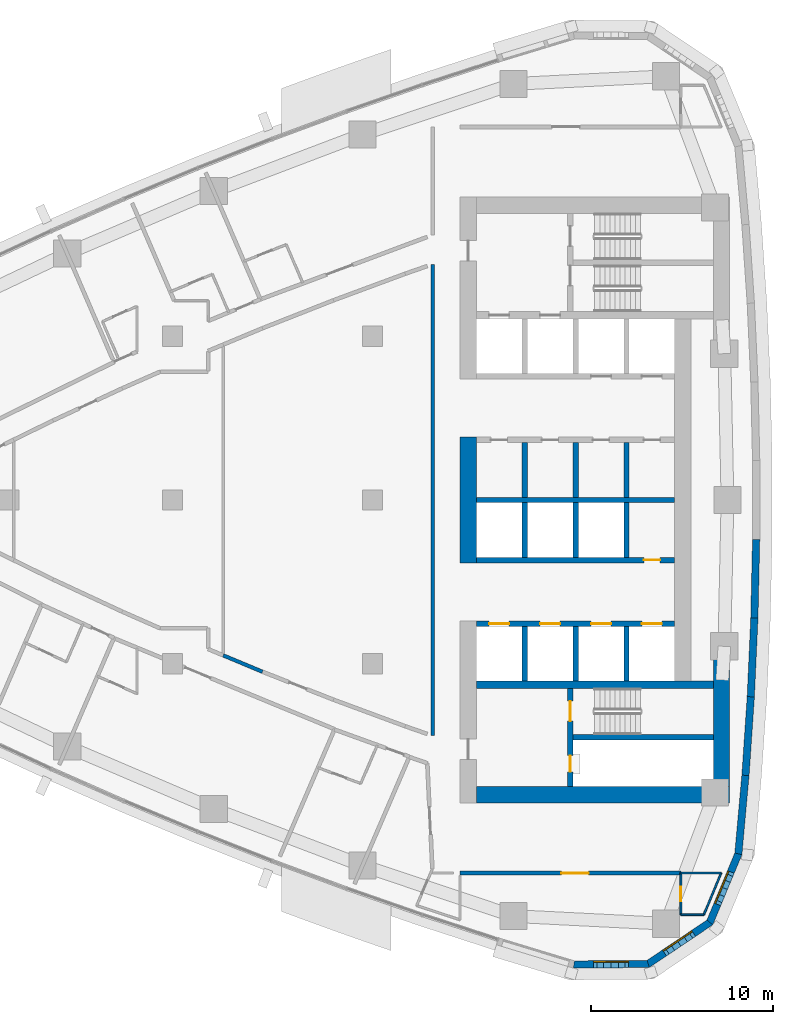
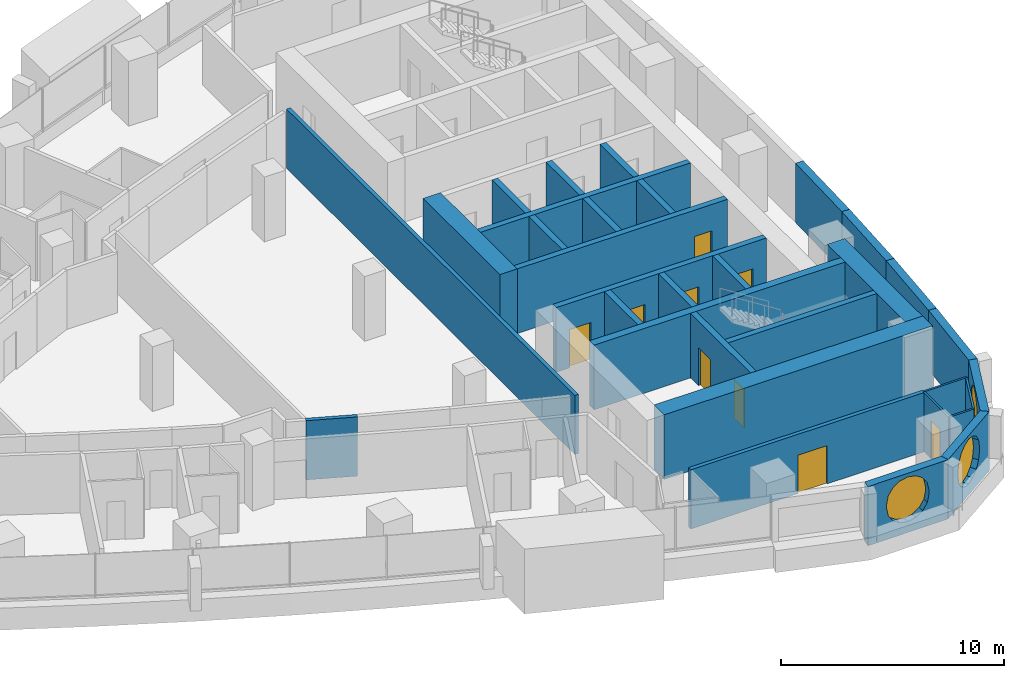
# One storey, part 10 of 17: 32 walls, 9 doors, 3 windows, 12 openings.
"""IFC4 building model written with IfcOpenShell, lengths in metres."""

from ifc_helpers import new_model, si_unit, direction, frame, frame_2d, origin, place, context, subcontext, project, spatial, polyline, rectangle, outline, extrude, material, layer, layer_set, type_object, element, fill, save


model = new_model("IFC4")

# Units and contexts
model_context = context("Model", 3, precision=1e-05, world=origin(), true_north=direction((0.0, 1.0)))
body_context = subcontext(model_context, "Body", "Model", "MODEL_VIEW")
ifc_project = project(units=[si_unit("LENGTHUNIT", "METRE"), si_unit("AREAUNIT", "SQUARE_METRE"), si_unit("VOLUMEUNIT", "CUBIC_METRE"), si_unit("PLANEANGLEUNIT", "RADIAN"), si_unit("MASSUNIT", "GRAM", prefix="KILO")], contexts=[model_context])

# Site, building, storey
site_placement = place(None, origin())
site = spatial("IfcSite", under=ifc_project, at=site_placement, CompositionType="ELEMENT")
building_placement = place(site_placement, origin())
building = spatial("IfcBuilding", under=site, at=building_placement, Name="Ostrand Prow Hotel Tower", CompositionType="ELEMENT")
storey_placement = place(building_placement, frame((0.0, 0.0, 133.75)))
storey = spatial("IfcBuildingStorey", under=building, at=storey_placement, Name="L32", CompositionType="ELEMENT", Elevation=133.75)

# Walls
ifc_material_1 = material(Name="Concrete C70/85", Category="concrete")
ifc_layer_1 = layer(ifc_material_1, 0.300048828125)
ifc_layer_set_1 = layer_set([ifc_layer_1], Name="Concrete C70/85")
wall_type_1 = type_object("IfcWallType", Name="Core wall 300 C70/85", PredefinedType="SHEAR", material=ifc_layer_set_1)
wall_1_placement = place(storey_placement, frame((50.699951171875, 0.0, 0.0), z_axis=(0.0, 0.0, 1.0), x_axis=(1.0, 0.0, 0.0)))
element("IfcWall", 1, at=wall_1_placement, inside=storey, type_object=wall_type_1, Name="Core wall PW-C", PredefinedType="SHEAR", context=body_context, shape_type="SweptSolid", body=[
    extrude(rectangle(XDim=10.900146484375, YDim=0.300048828125, at=frame_2d((5.4501953125, 0.0))), origin(), (0.0, 0.0, 1.0), 3.550048828125),
])
for number, where, z_axis, x_axis, name in (
    (2, (53.35009765625, 0.14990234375, 0.0), (0.0, 0.0, 1.0), (0.0, 1.0, 0.0), "Core wall PW-R1-NB"),
    (3, (56.14990234375, 0.14990234375, 0.0), (0.0, 0.0, 1.0), (0.0, 1.0, 0.0), "Core wall PW-R2-NB"),
    (4, (58.949951171875, 0.14990234375, 0.0), (0.0, 0.0, 1.0), (0.0, 1.0, 0.0), "Core wall PW-R3-NB"),
):
    element("IfcWall", number, at=place(storey_placement, frame(where, z_axis=z_axis, x_axis=x_axis)), inside=storey, type_object=wall_type_1, Name=name, PredefinedType="SHEAR", context=body_context, shape_type="SweptSolid", body=[
        extrude(rectangle(XDim=3.0, YDim=0.300048828125, at=frame_2d((1.5, 0.0))), origin(), (0.0, 0.0, 1.0), 3.550048828125),
    ])

# Wall, opening, door
wall_2_placement = place(storey_placement, frame((50.699951171875, -3.300048828125, 0.0), z_axis=(0.0, 0.0, 1.0), x_axis=(1.0, 0.0, 0.0)))
wall_2 = element("IfcWall", 5, at=wall_2_placement, inside=storey, type_object=wall_type_1, Name="Core wall PW-L1-S", PredefinedType="SHEAR", context=body_context, shape_type="SweptSolid", body=[
    extrude(rectangle(XDim=10.900146484375, YDim=0.300048828125, at=frame_2d((5.4501953125, 0.0))), origin(), (0.0, 0.0, 1.0), 3.550048828125),
])
opening_1_placement = place(wall_2_placement, frame((9.199951171875, 0.0, 0.0)))
opening_1 = element("IfcOpeningElement", 6, at=opening_1_placement, cuts=wall_2, Name="Opening FD2", PredefinedType="OPENING", context=body_context, shape_type="SweptSolid", body=[
    extrude(rectangle(XDim=0.89990234375, YDim=2.10009765625, at=frame_2d((0.449951171875, 1.050048828125))), frame((0.0, 0.159912109375, 0.0), z_axis=(0.0, -1.0, 0.0), x_axis=(1.0, 0.0, 0.0)), (0.0, 0.0, 1.0), 0.320068359375),
])
ifc_material_2 = material(Name="Steel fire door", Category="steel")
door_type_1 = type_object("IfcDoorType", Name="Fire door 900 EI120", OperationType="SINGLE_SWING_LEFT", PredefinedType="DOOR", material=ifc_material_2)
door_1_placement = place(opening_1_placement, origin())
door_1 = element("IfcDoor", 7, at=door_1_placement, inside=storey, type_object=door_type_1, Name="DOOR", OperationType="SINGLE_SWING_LEFT", OverallHeight=2.10009765625, OverallWidth=0.89990234375, PredefinedType="DOOR", context=body_context, shape_type="SweptSolid", body=[
    extrude(rectangle(XDim=0.89990234375, YDim=2.10009765625, at=frame_2d((0.449951171875, 1.050048828125))), frame((0.0, 0.02490234375, 0.0), z_axis=(0.0, -1.0, 0.0), x_axis=(1.0, 0.0, 0.0)), (0.0, 0.0, 1.0), 0.050048828125),
])
fill(opening_1, door_1)

# Wall, openings, doors
wall_3_placement = place(storey_placement, frame((50.699951171875, -6.800048828125, 0.0), z_axis=(0.0, 0.0, 1.0), x_axis=(1.0, 0.0, 0.0)))
wall_3 = element("IfcWall", 8, at=wall_3_placement, inside=storey, type_object=wall_type_1, Name="Core wall PW-L2-S", PredefinedType="SHEAR", context=body_context, shape_type="SweptSolid", body=[
    extrude(rectangle(XDim=10.900146484375, YDim=0.300048828125, at=frame_2d((5.4501953125, 0.0))), origin(), (0.0, 0.0, 1.0), 3.550048828125),
])
opening_2_placement = place(wall_3_placement, frame((0.699951171875, 0.0, 0.0)))
opening_2 = element("IfcOpeningElement", 9, at=opening_2_placement, cuts=wall_3, Name="Opening LD", PredefinedType="OPENING", context=body_context, shape_type="SweptSolid", body=[
    extrude(rectangle(XDim=1.10009765625, YDim=2.10009765625, at=frame_2d((0.550048828125, 1.050048828125))), frame((0.0, 0.159912109375, 0.0), z_axis=(0.0, -1.0, 0.0), x_axis=(1.0, 0.0, 0.0)), (0.0, 0.0, 1.0), 0.320068359375),
])
opening_3_placement = place(wall_3_placement, frame((3.5, 0.0, 0.0)))
opening_3 = element("IfcOpeningElement", 10, at=opening_3_placement, cuts=wall_3, Name="Opening LD", PredefinedType="OPENING", context=body_context, shape_type="SweptSolid", body=[
    extrude(rectangle(XDim=1.10009765625, YDim=2.10009765625, at=frame_2d((0.550048828125, 1.050048828125))), frame((0.0, 0.159912109375, 0.0), z_axis=(0.0, -1.0, 0.0), x_axis=(1.0, 0.0, 0.0)), (0.0, 0.0, 1.0), 0.320068359375),
])
opening_4_placement = place(wall_3_placement, frame((6.300048828125, 0.0, 0.0)))
opening_4 = element("IfcOpeningElement", 11, at=opening_4_placement, cuts=wall_3, Name="Opening LD", PredefinedType="OPENING", context=body_context, shape_type="SweptSolid", body=[
    extrude(rectangle(XDim=1.10009765625, YDim=2.10009765625, at=frame_2d((0.550048828125, 1.050048828125))), frame((0.0, 0.159912109375, 0.0), z_axis=(0.0, -1.0, 0.0), x_axis=(1.0, 0.0, 0.0)), (0.0, 0.0, 1.0), 0.320068359375),
])
opening_5_placement = place(wall_3_placement, frame((9.10009765625, 0.0, 0.0)))
opening_5 = element("IfcOpeningElement", 12, at=opening_5_placement, cuts=wall_3, Name="Opening LD", PredefinedType="OPENING", context=body_context, shape_type="SweptSolid", body=[
    extrude(rectangle(XDim=1.10009765625, YDim=2.10009765625, at=frame_2d((0.550048828125, 1.050048828125))), frame((0.0, 0.159912109375, 0.0), z_axis=(0.0, -1.0, 0.0), x_axis=(1.0, 0.0, 0.0)), (0.0, 0.0, 1.0), 0.320068359375),
])
ifc_material_3 = material(Name="Stainless steel door", Category="steel")
door_type_2 = type_object("IfcDoorType", Name="Lift landing door 1100", OperationType="DOUBLE_DOOR_SLIDING", PredefinedType="DOOR", material=ifc_material_3)
door_2_placement = place(opening_2_placement, origin())
door_2 = element("IfcDoor", 13, at=door_2_placement, inside=storey, type_object=door_type_2, Name="LIFT LANDING DOOR", OperationType="DOUBLE_DOOR_SLIDING", OverallHeight=2.10009765625, OverallWidth=1.10009765625, PredefinedType="DOOR", context=body_context, shape_type="SweptSolid", body=[
    extrude(rectangle(XDim=1.10009765625, YDim=2.10009765625, at=frame_2d((0.550048828125, 1.050048828125))), frame((0.0, 0.02490234375, 0.0), z_axis=(0.0, -1.0, 0.0), x_axis=(1.0, 0.0, 0.0)), (0.0, 0.0, 1.0), 0.050048828125),
])
fill(opening_2, door_2)
door_3_placement = place(opening_3_placement, origin())
door_3 = element("IfcDoor", 14, at=door_3_placement, inside=storey, type_object=door_type_2, Name="LIFT LANDING DOOR", OperationType="DOUBLE_DOOR_SLIDING", OverallHeight=2.10009765625, OverallWidth=1.10009765625, PredefinedType="DOOR", context=body_context, shape_type="SweptSolid", body=[
    extrude(rectangle(XDim=1.10009765625, YDim=2.10009765625, at=frame_2d((0.550048828125, 1.050048828125))), frame((0.0, 0.02490234375, 0.0), z_axis=(0.0, -1.0, 0.0), x_axis=(1.0, 0.0, 0.0)), (0.0, 0.0, 1.0), 0.050048828125),
])
fill(opening_3, door_3)
door_4_placement = place(opening_4_placement, origin())
door_4 = element("IfcDoor", 15, at=door_4_placement, inside=storey, type_object=door_type_2, Name="LIFT LANDING DOOR", OperationType="DOUBLE_DOOR_SLIDING", OverallHeight=2.10009765625, OverallWidth=1.10009765625, PredefinedType="DOOR", context=body_context, shape_type="SweptSolid", body=[
    extrude(rectangle(XDim=1.10009765625, YDim=2.10009765625, at=frame_2d((0.550048828125, 1.050048828125))), frame((0.0, 0.02490234375, 0.0), z_axis=(0.0, -1.0, 0.0), x_axis=(1.0, 0.0, 0.0)), (0.0, 0.0, 1.0), 0.050048828125),
])
fill(opening_4, door_4)
door_5_placement = place(opening_5_placement, origin())
door_5 = element("IfcDoor", 16, at=door_5_placement, inside=storey, type_object=door_type_2, Name="LIFT LANDING DOOR", OperationType="DOUBLE_DOOR_SLIDING", OverallHeight=2.10009765625, OverallWidth=1.10009765625, PredefinedType="DOOR", context=body_context, shape_type="SweptSolid", body=[
    extrude(rectangle(XDim=1.10009765625, YDim=2.10009765625, at=frame_2d((0.550048828125, 1.050048828125))), frame((0.0, 0.02490234375, 0.0), z_axis=(0.0, -1.0, 0.0), x_axis=(1.0, 0.0, 0.0)), (0.0, 0.0, 1.0), 0.050048828125),
])
fill(opening_5, door_5)

# Walls
for number, where, z_axis, x_axis, name in (
    (17, (53.35009765625, -3.14990234375, 0.0), (0.0, 0.0, 1.0), (0.0, 1.0, 0.0), "Core wall PW-R1-SB"),
    (18, (53.35009765625, -9.949951171875, 0.0), (0.0, 0.0, 1.0), (0.0, 1.0, 0.0), "Core wall PW-R1-SA"),
    (19, (56.14990234375, -3.14990234375, 0.0), (0.0, 0.0, 1.0), (0.0, 1.0, 0.0), "Core wall PW-R2-SB"),
    (20, (56.14990234375, -9.949951171875, 0.0), (0.0, 0.0, 1.0), (0.0, 1.0, 0.0), "Core wall PW-R2-SA"),
    (21, (58.949951171875, -3.14990234375, 0.0), (0.0, 0.0, 1.0), (0.0, 1.0, 0.0), "Core wall PW-R3-SB"),
    (22, (58.949951171875, -9.949951171875, 0.0), (0.0, 0.0, 1.0), (0.0, 1.0, 0.0), "Core wall PW-R3-SA"),
):
    element("IfcWall", number, at=place(storey_placement, frame(where, z_axis=z_axis, x_axis=x_axis)), inside=storey, type_object=wall_type_1, Name=name, PredefinedType="SHEAR", context=body_context, shape_type="SweptSolid", body=[
        extrude(rectangle(XDim=3.0, YDim=0.300048828125, at=frame_2d((1.5, 0.0))), origin(), (0.0, 0.0, 1.0), 3.550048828125),
    ])

# Wall, openings, doors
wall_4_placement = place(storey_placement, frame((55.85009765625, -15.75, 0.0), z_axis=(0.0, 0.0, 1.0), x_axis=(0.0, 1.0, 0.0)))
wall_4 = element("IfcWall", 23, at=wall_4_placement, inside=storey, type_object=wall_type_1, Name="Core wall PW-VS", PredefinedType="SHEAR", context=body_context, shape_type="SweptSolid", body=[
    extrude(rectangle(XDim=5.39990234375, YDim=0.300048828125, at=frame_2d((2.699951171875, 0.0))), origin(), (0.0, 0.0, 1.0), 3.550048828125),
])
opening_6_placement = place(wall_4_placement, frame((3.60009765625, 0.0, 0.0)))
opening_6 = element("IfcOpeningElement", 24, at=opening_6_placement, cuts=wall_4, Name="Opening FD1", PredefinedType="OPENING", context=body_context, shape_type="SweptSolid", body=[
    extrude(rectangle(XDim=1.10009765625, YDim=2.10009765625, at=frame_2d((0.550048828125, 1.050048828125))), frame((0.0, 0.159912109375, 0.0), z_axis=(0.0, -1.0, 0.0), x_axis=(1.0, 0.0, 0.0)), (0.0, 0.0, 1.0), 0.320068359375),
])
opening_7_placement = place(wall_4_placement, frame((0.800048828125, 0.0, 0.0)))
opening_7 = element("IfcOpeningElement", 25, at=opening_7_placement, cuts=wall_4, Name="Opening FD2", PredefinedType="OPENING", context=body_context, shape_type="SweptSolid", body=[
    extrude(rectangle(XDim=0.89990234375, YDim=2.10009765625, at=frame_2d((0.449951171875, 1.050048828125))), frame((0.0, 0.159912109375, 0.0), z_axis=(0.0, -1.0, 0.0), x_axis=(1.0, 0.0, 0.0)), (0.0, 0.0, 1.0), 0.320068359375),
])
ifc_material_4 = material(Name="Steel fire door", Category="steel")
door_type_3 = type_object("IfcDoorType", Name="Fire door 1100 EI120", OperationType="SINGLE_SWING_RIGHT", PredefinedType="DOOR", material=ifc_material_4)
door_6_placement = place(opening_6_placement, origin())
door_6 = element("IfcDoor", 26, at=door_6_placement, inside=storey, type_object=door_type_3, Name="FIRE DOOR", OperationType="SINGLE_SWING_RIGHT", OverallHeight=2.10009765625, OverallWidth=1.10009765625, PredefinedType="DOOR", context=body_context, shape_type="SweptSolid", body=[
    extrude(rectangle(XDim=1.10009765625, YDim=2.10009765625, at=frame_2d((0.550048828125, 1.050048828125))), frame((0.0, 0.02490234375, 0.0), z_axis=(0.0, -1.0, 0.0), x_axis=(1.0, 0.0, 0.0)), (0.0, 0.0, 1.0), 0.050048828125),
])
fill(opening_6, door_6)
door_7_placement = place(opening_7_placement, origin())
door_7 = element("IfcDoor", 27, at=door_7_placement, inside=storey, type_object=door_type_1, Name="FIRE DOOR", OperationType="SINGLE_SWING_LEFT", OverallHeight=2.10009765625, OverallWidth=0.89990234375, PredefinedType="DOOR", context=body_context, shape_type="SweptSolid", body=[
    extrude(rectangle(XDim=0.89990234375, YDim=2.10009765625, at=frame_2d((0.449951171875, 1.050048828125))), frame((0.0, 0.02490234375, 0.0), z_axis=(0.0, -1.0, 0.0), x_axis=(1.0, 0.0, 0.0)), (0.0, 0.0, 1.0), 0.050048828125),
])
fill(opening_7, door_7)

# Walls
wall_5_placement = place(storey_placement, frame((56.0, -13.050048828125, 0.0), z_axis=(0.0, 0.0, 1.0), x_axis=(1.0, 0.0, 0.0)))
element("IfcWall", 28, at=wall_5_placement, inside=storey, type_object=wall_type_1, Name="Core wall PW-ST2R", PredefinedType="SHEAR", context=body_context, shape_type="SweptSolid", body=[
    extrude(rectangle(XDim=7.719970703125, YDim=0.300048828125, at=frame_2d((3.85986328125, 0.0))), origin(), (0.0, 0.0, 1.0), 3.550048828125),
])
ifc_material_5 = material(Name="Concrete C70/85", Category="concrete")
ifc_layer_2 = layer(ifc_material_5, 0.39990234375)
ifc_layer_set_2 = layer_set([ifc_layer_2], Name="Concrete C70/85")
wall_type_2 = type_object("IfcWallType", Name="Core wall 400 C70/85", PredefinedType="SHEAR", material=ifc_layer_set_2)
wall_6_placement = place(storey_placement, frame((50.699951171875, -10.14990234375, 0.0), z_axis=(0.0, 0.0, 1.0), x_axis=(1.0, 0.0, 0.0)))
element("IfcWall", 29, at=wall_6_placement, inside=storey, type_object=wall_type_2, Name="Core wall PW-BS", PredefinedType="SHEAR", context=body_context, shape_type="SweptSolid", body=[
    extrude(rectangle(XDim=13.02001953125, YDim=0.39990234375, at=frame_2d((6.510009765625, 0.0))), origin(), (0.0, 0.0, 1.0), 3.550048828125),
])
ifc_material_6 = material(Name="Concrete C70/85", Category="concrete")
ifc_layer_3 = layer(ifc_material_6, 0.89990234375)
ifc_layer_set_3 = layer_set([ifc_layer_3], Name="Concrete C70/85")
wall_type_3 = type_object("IfcWallType", Name="Core wall 900 C70/85", PredefinedType="SHEAR", material=ifc_layer_set_3)
wall_7_placement = place(storey_placement, frame((50.25, -3.449951171875, 0.0), z_axis=(0.0, 0.0, 1.0), x_axis=(0.0, 1.0, 0.0)))
element("IfcWall", 30, at=wall_7_placement, inside=storey, type_object=wall_type_3, Name="Core wall CW-W-C", PredefinedType="SHEAR", context=body_context, shape_type="SweptSolid", body=[
    extrude(rectangle(XDim=6.89990234375, YDim=0.89990234375, at=frame_2d((3.449951171875, 0.0))), origin(), (0.0, 0.0, 1.0), 3.550048828125),
])
wall_8_placement = place(storey_placement, frame((50.699951171875, -16.199951171875, 0.0), z_axis=(0.0, 0.0, 1.0), x_axis=(1.0, 0.0, 0.0)))
element("IfcWall", 31, at=wall_8_placement, inside=storey, type_object=wall_type_3, Name="Core wall CW-S", PredefinedType="SHEAR", context=body_context, shape_type="SweptSolid", body=[
    extrude(rectangle(XDim=13.920166015625, YDim=0.89990234375, at=frame_2d((6.9599609375, 0.0))), origin(), (0.0, 0.0, 1.0), 3.550048828125),
])
wall_9_placement = place(storey_placement, frame((64.169921875, -15.75, 0.0), z_axis=(0.0, 0.0, 1.0), x_axis=(0.0, 1.0, 0.0)))
element("IfcWall", 32, at=wall_9_placement, inside=storey, type_object=wall_type_3, Name="Core wall CW-E-S", PredefinedType="SHEAR", context=body_context, shape_type="SweptSolid", body=[
    extrude(rectangle(XDim=7.00537109375, YDim=0.89990234375, at=frame_2d((3.502685546875, 0.0))), origin(), (0.0, 0.0, 1.0), 3.550048828125),
])

# Wall, opening, door
ifc_material_7 = material(Name="Plasterboard partition")
ifc_layer_4 = layer(ifc_material_7, 0.10009765625)
ifc_layer_set_4 = layer_set([ifc_layer_4], Name="Plasterboard partition")
wall_type_4 = type_object("IfcWallType", Name="Partition 100 bathroom wall", PredefinedType="PARTITIONING", material=ifc_layer_set_4)
wall_10_placement = place(storey_placement, frame((61.9375, -22.800048828125, 0.0), z_axis=(0.0, 0.0, 1.0), x_axis=(0.0, 1.0, 0.0)))
wall_10 = element("IfcWall", 33, at=wall_10_placement, inside=storey, type_object=wall_type_4, Name="BATHROOM WALL", PredefinedType="PARTITIONING", context=body_context, shape_type="SweptSolid", body=[
    extrude(rectangle(XDim=2.300048828125, YDim=0.10009765625, at=frame_2d((1.14990234375, 0.0))), origin(), (0.0, 0.0, 1.0), 3.25),
])
opening_8_placement = place(wall_10_placement, frame((0.75, 0.0, 0.0)))
opening_8 = element("IfcOpeningElement", 34, at=opening_8_placement, cuts=wall_10, Name="Opening D2", PredefinedType="OPENING", context=body_context, shape_type="SweptSolid", body=[
    extrude(rectangle(XDim=0.800048828125, YDim=2.10009765625, at=frame_2d((0.39990234375, 1.050048828125))), frame((0.0, 0.06005859375, 0.0), z_axis=(0.0, -1.0, 0.0), x_axis=(1.0, 0.0, 0.0)), (0.0, 0.0, 1.0), 0.1201171875),
])
ifc_material_8 = material(Name="Timber door leaf", Category="wood")
door_type_4 = type_object("IfcDoorType", Name="Bathroom door 800", OperationType="SINGLE_SWING_LEFT", PredefinedType="DOOR", material=ifc_material_8)
door_8_placement = place(opening_8_placement, origin())
door_8 = element("IfcDoor", 35, at=door_8_placement, inside=storey, type_object=door_type_4, Name="DOOR", OperationType="SINGLE_SWING_LEFT", OverallHeight=2.10009765625, OverallWidth=0.800048828125, PredefinedType="DOOR", context=body_context, shape_type="SweptSolid", body=[
    extrude(rectangle(XDim=0.800048828125, YDim=2.10009765625, at=frame_2d((0.39990234375, 1.050048828125))), frame((0.0, 0.02490234375, 0.0), z_axis=(0.0, -1.0, 0.0), x_axis=(1.0, 0.0, 0.0)), (0.0, 0.0, 1.0), 0.050048828125),
])
fill(opening_8, door_8)

# Walls
wall_11_placement = place(storey_placement, frame((63.1982421875, -22.800048828125, 0.0), z_axis=(0.0, 0.0, 1.0), x_axis=(-1.0, 0.0, 0.0)))
element("IfcWall", 36, at=wall_11_placement, inside=storey, type_object=wall_type_4, Name="BATHROOM WALL", PredefinedType="PARTITIONING", context=body_context, shape_type="SweptSolid", body=[
    extrude(rectangle(XDim=1.2607421875, YDim=0.10009765625, at=frame_2d((0.63037109375, 0.0))), origin(), (0.0, 0.0, 1.0), 3.25),
])
wall_12_placement = place(storey_placement, frame((61.9375, -20.5048828125, 0.0), z_axis=(0.0, 0.0, 1.0), x_axis=(1.0, 0.0, 0.0)))
element("IfcWall", 37, at=wall_12_placement, inside=storey, type_object=wall_type_4, Name="BATHROOM WALL", PredefinedType="PARTITIONING", context=body_context, shape_type="SweptSolid", body=[
    extrude(rectangle(XDim=2.21484375, YDim=0.10009765625, at=frame_2d((1.107421875, 0.0))), origin(), (0.0, 0.0, 1.0), 3.25),
])
wall_13_placement = place(storey_placement, frame((64.15234375, -20.5048828125, 0.0), z_axis=(0.0, 0.0, 1.0), x_axis=(-0.383855043906, -0.923393364319, 0.0)))
element("IfcWall", 38, at=wall_13_placement, inside=storey, type_object=wall_type_4, Name="BATHROOM WALL", PredefinedType="PARTITIONING", context=body_context, shape_type="SweptSolid", body=[
    extrude(rectangle(XDim=2.485595703125, YDim=0.10009765625, at=frame_2d((1.24267578125, 0.0))), origin(), (0.0, 0.0, 1.0), 3.25),
])
ifc_material_9 = material(Name="Plasterboard partition")
ifc_layer_5 = layer(ifc_material_9, 0.199951171875)
ifc_layer_set_5 = layer_set([ifc_layer_5], Name="Plasterboard partition")
wall_type_5 = type_object("IfcWallType", Name="Partition 200 corridor wall", PredefinedType="PARTITIONING", material=ifc_layer_set_5)
wall_14_placement = place(storey_placement, frame((38.943115234375, -9.44091796875, 0.0), z_axis=(0.0, 0.0, 1.0), x_axis=(-0.923008963065, 0.384778448073, 0.0)))
element("IfcWall", 39, at=wall_14_placement, inside=storey, type_object=wall_type_5, Name="CORRIDOR WALL", PredefinedType="PARTITIONING", context=body_context, shape_type="SweptSolid", body=[
    extrude(rectangle(XDim=2.3388671875, YDim=0.199951171875, at=frame_2d((1.16943359375, 0.0))), origin(), (0.0, 0.0, 1.0), 3.25),
])

# Wall, opening, door
wall_15_placement = place(storey_placement, frame((49.800048828125, -20.5048828125, 0.0), z_axis=(0.0, 0.0, 1.0), x_axis=(1.0, 0.0, 0.0)))
wall_15 = element("IfcWall", 40, at=wall_15_placement, inside=storey, type_object=wall_type_5, Name="CORRIDOR WALL", PredefinedType="PARTITIONING", context=body_context, shape_type="SweptSolid", body=[
    extrude(rectangle(XDim=12.132568359375, YDim=0.199951171875, at=frame_2d((6.06640625, 0.0))), origin(), (0.0, 0.0, 1.0), 3.25),
])
opening_9_placement = place(wall_15_placement, frame((5.56640625, 0.0, 0.0)))
opening_9 = element("IfcOpeningElement", 41, at=opening_9_placement, cuts=wall_15, Name="Opening D15", PredefinedType="OPENING", context=body_context, shape_type="SweptSolid", body=[
    extrude(rectangle(XDim=1.5, YDim=2.10009765625, at=frame_2d((0.75, 1.050048828125))), frame((0.0, 0.10986328125, 0.0), z_axis=(0.0, -1.0, 0.0), x_axis=(1.0, 0.0, 0.0)), (0.0, 0.0, 1.0), 0.219970703125),
])
ifc_material_10 = material(Name="Timber door leaf", Category="wood")
door_type_5 = type_object("IfcDoorType", Name="Double door 1500", OperationType="DOUBLE_DOOR_SINGLE_SWING", PredefinedType="DOOR", material=ifc_material_10)
door_9_placement = place(opening_9_placement, origin())
door_9 = element("IfcDoor", 42, at=door_9_placement, inside=storey, type_object=door_type_5, Name="DOOR", OperationType="DOUBLE_DOOR_SINGLE_SWING", OverallHeight=2.10009765625, OverallWidth=1.5, PredefinedType="DOOR", context=body_context, shape_type="SweptSolid", body=[
    extrude(rectangle(XDim=1.5, YDim=2.10009765625, at=frame_2d((0.75, 1.050048828125))), frame((0.0, 0.02490234375, 0.0), z_axis=(0.0, -1.0, 0.0), x_axis=(1.0, 0.0, 0.0)), (0.0, 0.0, 1.0), 0.050048828125),
])
fill(opening_9, door_9)

# Wall
wall_16_placement = place(storey_placement, frame((48.294921875, 12.955078125, 0.0), z_axis=(0.0, 0.0, 1.0), x_axis=(0.0, -1.0, 0.0)))
element("IfcWall", 43, at=wall_16_placement, inside=storey, type_object=wall_type_5, Name="CORRIDOR WALL", PredefinedType="PARTITIONING", context=body_context, shape_type="SweptSolid", body=[
    extrude(rectangle(XDim=25.91015625, YDim=0.199951171875, at=frame_2d((12.955078125, 0.0))), origin(), (0.0, 0.0, 1.0), 3.25),
])

# Wall, opening, window
ifc_material_11 = material(Name="Precast concrete C40/50", Category="concrete")
ifc_layer_6 = layer(ifc_material_11, 0.39990234375)
ifc_layer_set_6 = layer_set([ifc_layer_6], Name="Precast concrete C40/50")
wall_type_6 = type_object("IfcWallType", Name="Stone-faced precast wall 400 mm", PredefinedType="NOTDEFINED", material=ifc_layer_set_6)
wall_17_placement = place(storey_placement, frame((56.05810546875, -25.530517578125, 0.0), z_axis=(0.0, 0.0, 1.0), x_axis=(0.99996933771, 0.007830941131, 0.0)))
wall_17 = element("IfcWall", 44, at=wall_17_placement, inside=storey, type_object=wall_type_6, Name="Stone-faced wall back 2", PredefinedType="NOTDEFINED", context=body_context, shape_type="SweptSolid", body=[
    extrude(outline(polyline([(-0.030517578125, -0.199951171875), (4.14453125, -0.199951171875), (4.02392578125, 0.199951171875), (0.030517578125, 0.199951171875), (-0.030517578125, -0.199951171875)])), origin(), (0.0, 0.0, 1.0), 3.25),
])
opening_10_placement = place(wall_17_placement, frame((0.94189453125, 0.0, 0.60009765625)))
opening_10 = element("IfcOpeningElement", 45, at=opening_10_placement, cuts=wall_17, Name="Opening WP1", PredefinedType="OPENING", context=body_context, shape_type="SweptSolid", body=[
    extrude(outline(polyline([(0.0, 1.35009765625), (0.083740234375, 1.77099609375), (0.322265625, 2.127685546875), (0.678955078125, 2.3662109375), (1.10009765625, 2.449951171875), (1.52099609375, 2.3662109375), (1.877685546875, 2.127685546875), (2.1162109375, 1.77099609375), (2.199951171875, 1.35009765625), (2.199951171875, 1.10009765625), (2.1162109375, 0.678955078125), (1.877685546875, 0.322265625), (1.52099609375, 0.083740234375), (1.10009765625, 0.0), (0.678955078125, 0.083740234375), (0.322265625, 0.322265625), (0.083740234375, 0.678955078125), (0.0, 1.099853515625), (0.0, 1.35009765625)])), frame((0.0, 0.2099609375, 0.0), z_axis=(0.0, -1.0, 0.0), x_axis=(1.0, 0.0, 0.0)), (0.0, 0.0, 1.0), 0.419921875),
])
ifc_material_12 = material(Name="Insulated glass in bronze frame", Category="glass")
window_type = type_object("IfcWindowType", Name="Round-ended prow window 2200x2450", PartitioningType="SINGLE_PANEL", PredefinedType="WINDOW", material=ifc_material_12)
window_1_placement = place(opening_10_placement, origin())
window_1 = element("IfcWindow", 46, at=window_1_placement, inside=storey, type_object=window_type, Name="Window back 2.1", OverallHeight=2.449951171875, OverallWidth=2.199951171875, PartitioningType="SINGLE_PANEL", PredefinedType="WINDOW", context=body_context, shape_type="SweptSolid", body=[
    extrude(outline(polyline([(0.0, 1.35009765625), (0.083740234375, 1.77099609375), (0.322265625, 2.127685546875), (0.678955078125, 2.3662109375), (1.10009765625, 2.449951171875), (1.52099609375, 2.3662109375), (1.877685546875, 2.127685546875), (2.1162109375, 1.77099609375), (2.199951171875, 1.35009765625), (2.199951171875, 1.10009765625), (2.1162109375, 0.678955078125), (1.877685546875, 0.322265625), (1.52099609375, 0.083740234375), (1.10009765625, 0.0), (0.678955078125, 0.083740234375), (0.322265625, 0.322265625), (0.083740234375, 0.678955078125), (0.0, 1.099853515625), (0.0, 1.35009765625)])), frame((0.0, 0.169921875, 0.0), z_axis=(0.0, -1.0, 0.0), x_axis=(1.0, 0.0, 0.0)), (0.0, 0.0, 1.0), 0.06005859375),
])
fill(opening_10, window_1)

wall_18_placement = place(storey_placement, frame((60.14208984375, -25.49853515625, 0.0), z_axis=(0.0, 0.0, 1.0), x_axis=(0.829642062482, 0.558295663749, 0.0)))
wall_18 = element("IfcWall", 47, at=wall_18_placement, inside=storey, type_object=wall_type_6, Name="Stone-faced wall back 3", PredefinedType="NOTDEFINED", context=body_context, shape_type="SweptSolid", body=[
    extrude(outline(polyline([(-0.060302734375, -0.199951171875), (4.144287109375, -0.199951171875), (4.023681640625, 0.199951171875), (0.060302734375, 0.199951171875), (-0.060302734375, -0.199951171875)])), origin(), (0.0, 0.0, 1.0), 3.25),
])
opening_11_placement = place(wall_18_placement, frame((0.94189453125, 0.0, 0.60009765625)))
opening_11 = element("IfcOpeningElement", 48, at=opening_11_placement, cuts=wall_18, Name="Opening WP1", PredefinedType="OPENING", context=body_context, shape_type="SweptSolid", body=[
    extrude(outline(polyline([(0.0, 1.35009765625), (0.083740234375, 1.77099609375), (0.322265625, 2.127685546875), (0.678955078125, 2.3662109375), (1.10009765625, 2.449951171875), (1.52099609375, 2.3662109375), (1.877685546875, 2.127685546875), (2.1162109375, 1.77099609375), (2.199951171875, 1.35009765625), (2.199951171875, 1.10009765625), (2.1162109375, 0.678955078125), (1.877685546875, 0.322265625), (1.52099609375, 0.083740234375), (1.10009765625, 0.0), (0.678955078125, 0.083740234375), (0.322265625, 0.322265625), (0.083740234375, 0.678955078125), (0.0, 1.099853515625), (0.0, 1.35009765625)])), frame((0.0, 0.2099609375, 0.0), z_axis=(0.0, -1.0, 0.0), x_axis=(1.0, 0.0, 0.0)), (0.0, 0.0, 1.0), 0.419921875),
])
window_2_placement = place(opening_11_placement, origin())
window_2 = element("IfcWindow", 49, at=window_2_placement, inside=storey, type_object=window_type, Name="Window back 3.1", OverallHeight=2.449951171875, OverallWidth=2.199951171875, PartitioningType="SINGLE_PANEL", PredefinedType="WINDOW", context=body_context, shape_type="SweptSolid", body=[
    extrude(outline(polyline([(0.0, 1.35009765625), (0.083740234375, 1.77099609375), (0.322265625, 2.127685546875), (0.678955078125, 2.3662109375), (1.10009765625, 2.449951171875), (1.52099609375, 2.3662109375), (1.877685546875, 2.127685546875), (2.1162109375, 1.77099609375), (2.199951171875, 1.35009765625), (2.199951171875, 1.10009765625), (2.1162109375, 0.678955078125), (1.877685546875, 0.322265625), (1.52099609375, 0.083740234375), (1.10009765625, 0.0), (0.678955078125, 0.083740234375), (0.322265625, 0.322265625), (0.083740234375, 0.678955078125), (0.0, 1.099853515625), (0.0, 1.35009765625)])), frame((0.0, 0.169921875, 0.0), z_axis=(0.0, -1.0, 0.0), x_axis=(1.0, 0.0, 0.0)), (0.0, 0.0, 1.0), 0.06005859375),
])
fill(opening_11, window_2)

wall_19_placement = place(storey_placement, frame((63.5302734375, -23.218505859375, 0.0), z_axis=(0.0, 0.0, 1.0), x_axis=(0.383817293519, 0.923409056267, 0.0)))
wall_19 = element("IfcWall", 50, at=wall_19_placement, inside=storey, type_object=wall_type_6, Name="Stone-faced wall back 4", PredefinedType="NOTDEFINED", context=body_context, shape_type="SweptSolid", body=[
    extrude(outline(polyline([(-0.060302734375, -0.199951171875), (4.11474609375, -0.199951171875), (4.0537109375, 0.199951171875), (0.060302734375, 0.199951171875), (-0.060302734375, -0.199951171875)])), origin(), (0.0, 0.0, 1.0), 3.25),
])
opening_12_placement = place(wall_19_placement, frame((0.94189453125, 0.0, 0.60009765625)))
opening_12 = element("IfcOpeningElement", 51, at=opening_12_placement, cuts=wall_19, Name="Opening WP1", PredefinedType="OPENING", context=body_context, shape_type="SweptSolid", body=[
    extrude(outline(polyline([(0.0, 1.35009765625), (0.083740234375, 1.77099609375), (0.322265625, 2.127685546875), (0.678955078125, 2.3662109375), (1.10009765625, 2.449951171875), (1.52099609375, 2.3662109375), (1.877685546875, 2.127685546875), (2.1162109375, 1.77099609375), (2.199951171875, 1.35009765625), (2.199951171875, 1.10009765625), (2.1162109375, 0.678955078125), (1.877685546875, 0.322265625), (1.52099609375, 0.083740234375), (1.10009765625, 0.0), (0.678955078125, 0.083740234375), (0.322265625, 0.322265625), (0.083740234375, 0.678955078125), (0.0, 1.099853515625), (0.0, 1.35009765625)])), frame((0.0, 0.2099609375, 0.0), z_axis=(0.0, -1.0, 0.0), x_axis=(1.0, 0.0, 0.0)), (0.0, 0.0, 1.0), 0.419921875),
])
window_3_placement = place(opening_12_placement, origin())
window_3 = element("IfcWindow", 52, at=window_3_placement, inside=storey, type_object=window_type, Name="Window back 4.1", OverallHeight=2.449951171875, OverallWidth=2.199951171875, PartitioningType="SINGLE_PANEL", PredefinedType="WINDOW", context=body_context, shape_type="SweptSolid", body=[
    extrude(outline(polyline([(0.0, 1.35009765625), (0.083740234375, 1.77099609375), (0.322265625, 2.127685546875), (0.678955078125, 2.3662109375), (1.10009765625, 2.449951171875), (1.52099609375, 2.3662109375), (1.877685546875, 2.127685546875), (2.1162109375, 1.77099609375), (2.199951171875, 1.35009765625), (2.199951171875, 1.10009765625), (2.1162109375, 0.678955078125), (1.877685546875, 0.322265625), (1.52099609375, 0.083740234375), (1.10009765625, 0.0), (0.678955078125, 0.083740234375), (0.322265625, 0.322265625), (0.083740234375, 0.678955078125), (0.0, 1.099853515625), (0.0, 1.35009765625)])), frame((0.0, 0.169921875, 0.0), z_axis=(0.0, -1.0, 0.0), x_axis=(1.0, 0.0, 0.0)), (0.0, 0.0, 1.0), 0.06005859375),
])
fill(opening_12, window_3)

# Walls
wall_20_placement = place(storey_placement, frame((65.097900390625, -19.447021484375, 0.0), z_axis=(0.0, 0.0, 1.0), x_axis=(0.090296735989, 0.995914905737, 0.0)))
element("IfcWall", 53, at=wall_20_placement, inside=storey, type_object=wall_type_6, Name="Stone-faced wall back 5", PredefinedType="NOTDEFINED", context=body_context, shape_type="SweptSolid", body=[
    extrude(outline(polyline([(-0.030517578125, -0.199951171875), (4.330810546875, -0.199951171875), (4.326416015625, 0.199951171875), (0.030517578125, 0.199951171875), (-0.030517578125, -0.199951171875)])), origin(), (0.0, 0.0, 1.0), 3.25),
])
for number, where, z_axis, x_axis, name in (
    (54, (65.48876953125, -15.135986328125, 0.0), (0.0, 0.0, 1.0), (0.067731727279, 0.997703569764, 0.0), "Stone-faced wall back 6"),
    (55, (65.781982421875, -10.81689453125, 0.0), (0.0, 0.0, 1.0), (0.045228592312, 0.99897666361, 0.0), "Stone-faced wall back 7"),
):
    element("IfcWall", number, at=place(storey_placement, frame(where, z_axis=z_axis, x_axis=x_axis)), inside=storey, type_object=wall_type_6, Name=name, PredefinedType="NOTDEFINED", context=body_context, shape_type="SweptSolid", body=[
        extrude(outline(polyline([(-0.002197265625, -0.199951171875), (4.331298828125, -0.199951171875), (4.326904296875, 0.199951171875), (0.002197265625, 0.199951171875), (-0.002197265625, -0.199951171875)])), origin(), (0.0, 0.0, 1.0), 3.25),
    ])
wall_21_placement = place(storey_placement, frame((65.977783203125, -6.4921875, 0.0), z_axis=(0.0, 0.0, 1.0), x_axis=(0.02261635063, 0.99974421763, 0.0)))
element("IfcWall", 56, at=wall_21_placement, inside=storey, type_object=wall_type_6, Name="Stone-faced wall back 8", PredefinedType="NOTDEFINED", context=body_context, shape_type="SweptSolid", body=[
    extrude(outline(polyline([(-0.002197265625, -0.199951171875), (4.3310546875, -0.199951171875), (4.32666015625, 0.199951171875), (0.002197265625, 0.199951171875), (-0.002197265625, -0.199951171875)])), origin(), (0.0, 0.0, 1.0), 3.25),
])

save(model, "model.ifc")
